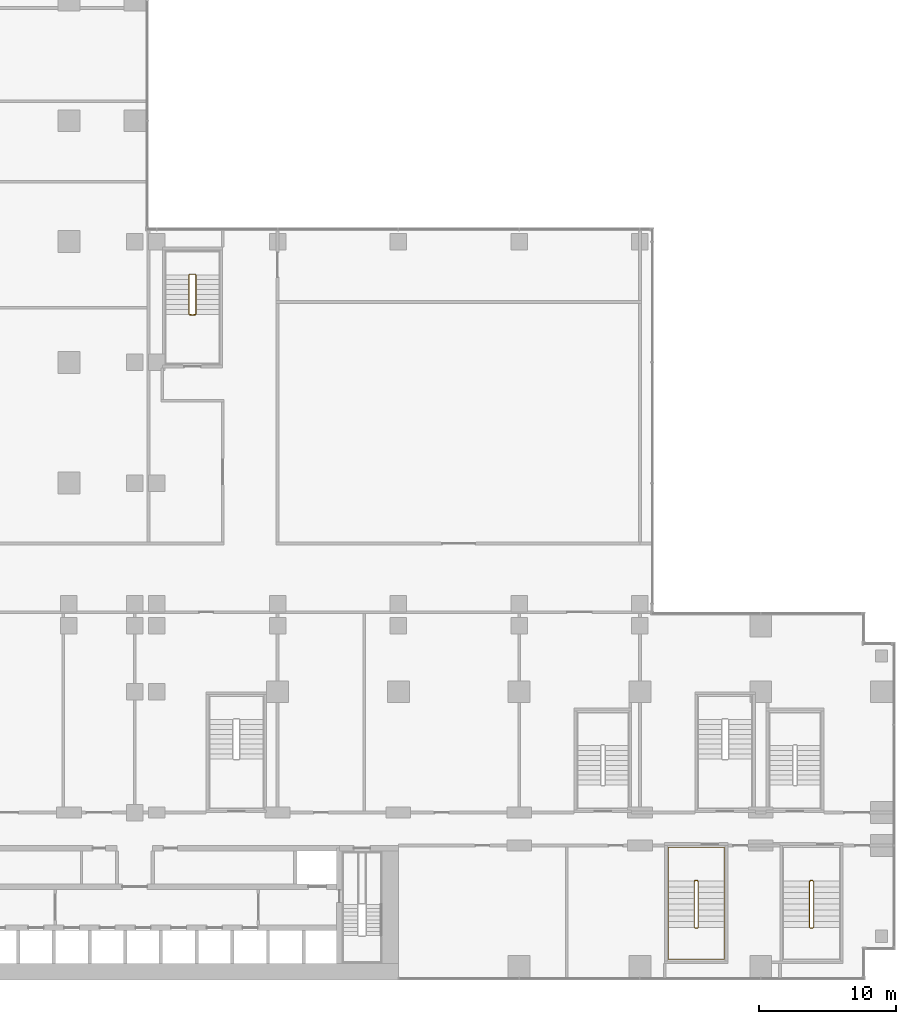
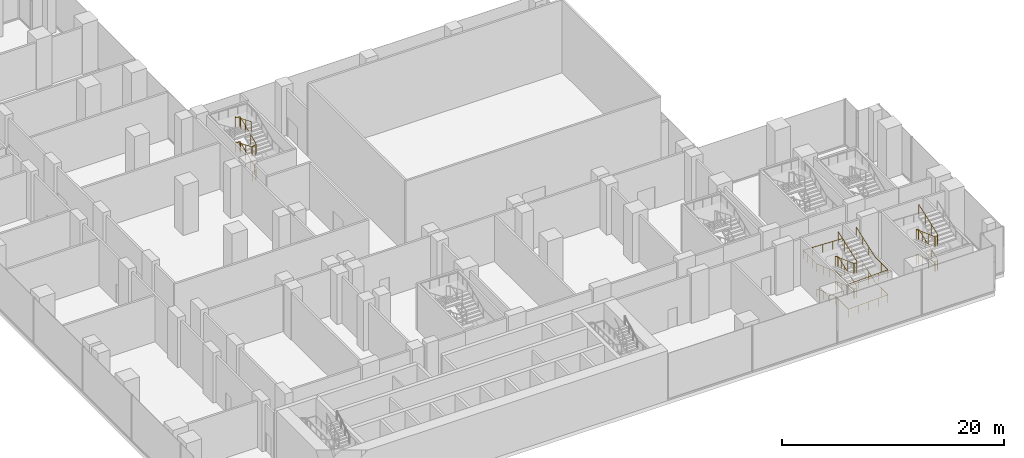
# One storey, part 28 of 30: 4 railings.
"""IFC4 building model written with IfcOpenShell, lengths in metres."""

from ifc_helpers import new_model, si_unit, direction, frame, origin, origin_2d, place, context, subcontext, project, spatial, circle, extrude, material, type_object, element, save


model = new_model("IFC4")

# Units and contexts
model_context = context("Model", 3, precision=1e-05, world=origin(), true_north=direction((0.0, 1.0)))
body_context = subcontext(model_context, "Body", "Model", "MODEL_VIEW")
ifc_project = project(units=[si_unit("LENGTHUNIT", "METRE"), si_unit("AREAUNIT", "SQUARE_METRE"), si_unit("VOLUMEUNIT", "CUBIC_METRE"), si_unit("PLANEANGLEUNIT", "RADIAN"), si_unit("MASSUNIT", "GRAM", prefix="KILO")], contexts=[model_context])

# Site, building, storey
site_placement = place(None, origin())
site = spatial("IfcSite", under=ifc_project, at=site_placement, CompositionType="ELEMENT")
building_placement = place(site_placement, origin())
building = spatial("IfcBuilding", under=site, at=building_placement, Name="Kemantara Hotel Tower", CompositionType="ELEMENT")
storey_placement = place(building_placement, frame((0.0, 0.0, 18.0)))
storey = spatial("IfcBuildingStorey", under=building, at=storey_placement, Name="L03", CompositionType="ELEMENT", Elevation=18.0)

# Railings
ifc_material = material(Name="Stainless steel balustrade", Category="steel")
railing_type_1 = type_object("IfcRailingType", Name="Stair guard 1100 mm", PredefinedType="GUARDRAIL", material=ifc_material)
railing_1_placement = place(storey_placement, frame((29.75, 48.5, 5.5)))
element("IfcRailing", 1, at=railing_1_placement, inside=storey, type_object=railing_type_1, Name="L03 PS2 stair guard 1", PredefinedType="GUARDRAIL", context=body_context, shape_type="SweptSolid", body=[
    extrude(circle(Radius=0.02392578125, at=origin_2d()), frame((0.0, 0.0, 1.076171875), z_axis=(0.0, 0.920535863683, -0.390658064903), x_axis=(-1.0, 0.0, 0.0)), (0.0, 0.0, 1.0), 3.12841796875),
    extrude(circle(Radius=0.02392578125, at=origin_2d()), frame((0.0, 2.8798828125, -0.14599609375), z_axis=(0.297155754911, 0.297155754911, -0.90741220768), x_axis=(-0.707106781187, 0.707106781187, 0.0)), (0.0, 0.0, 1.0), 0.16845703125),
    extrude(circle(Radius=0.02392578125, at=origin_2d()), frame((0.050048828125, 2.929931640625, -0.298828125), z_axis=(1.0, 0.0, 0.0), x_axis=(0.0, 1.0, 0.0)), (0.0, 0.0, 1.0), 0.39990234375),
    extrude(circle(Radius=0.02392578125, at=origin_2d()), frame((0.449951171875, 2.929931640625, -0.298828125), z_axis=(0.707106781187, -0.707106781187, 0.0), x_axis=(0.707106781187, 0.707106781187, 0.0)), (0.0, 0.0, 1.0), 0.07080078125),
    extrude(circle(Radius=0.02392578125, at=origin_2d()), frame((0.5, 2.8798828125, -0.298828125), z_axis=(0.0, -0.920535863683, -0.390658064903), x_axis=(1.0, 0.0, 0.0)), (0.0, 0.0, 1.0), 3.12841796875),
    extrude(circle(Radius=0.02392578125, at=origin_2d()), frame((0.5, 0.0, -1.52099609375), z_axis=(-0.941661397821, -0.104742586301, -0.319848092803), x_axis=(0.110549901152, -0.993870574751, 0.0)), (0.0, 0.0, 1.0), 0.477783203125),
    extrude(circle(Radius=0.02392578125, at=origin_2d()), frame((0.050048828125, -0.050048828125, -1.673828125), z_axis=(1.0, 0.0, 0.0), x_axis=(0.0, 1.0, 0.0)), (0.0, 0.0, 1.0), 0.39990234375),
    extrude(circle(Radius=0.02392578125, at=origin_2d()), frame((0.449951171875, -0.050048828125, -1.673828125), z_axis=(-0.993870574751, 0.110549901152, 0.0), x_axis=(-0.110549901152, -0.993870574751, 0.0)), (0.0, 0.0, 1.0), 0.45263671875),
    extrude(circle(Radius=0.02392578125, at=origin_2d()), frame((0.0, 0.0, -1.673828125), z_axis=(0.0, 0.920535863683, -0.390658064903), x_axis=(-1.0, 0.0, 0.0)), (0.0, 0.0, 1.0), 3.12841796875),
    extrude(circle(Radius=0.02392578125, at=origin_2d()), frame((0.0, 2.8798828125, -2.89599609375), z_axis=(0.297155754911, 0.297155754911, -0.90741220768), x_axis=(-0.707106781187, 0.707106781187, 0.0)), (0.0, 0.0, 1.0), 0.16845703125),
    extrude(circle(Radius=0.02392578125, at=origin_2d()), frame((0.050048828125, 2.929931640625, -3.048828125), z_axis=(1.0, 0.0, 0.0), x_axis=(0.0, 1.0, 0.0)), (0.0, 0.0, 1.0), 0.39990234375),
    extrude(circle(Radius=0.02392578125, at=origin_2d()), frame((0.449951171875, 2.929931640625, -3.048828125), z_axis=(0.707106781187, -0.707106781187, 0.0), x_axis=(0.707106781187, 0.707106781187, 0.0)), (0.0, 0.0, 1.0), 0.07080078125),
    extrude(circle(Radius=0.02392578125, at=origin_2d()), frame((0.5, 2.8798828125, -3.048828125), z_axis=(0.0, -0.920535863683, -0.390658064903), x_axis=(1.0, 0.0, 0.0)), (0.0, 0.0, 1.0), 3.12841796875),
    extrude(circle(Radius=0.02392578125, at=origin_2d()), frame((0.5, 0.0, -4.27099609375), z_axis=(-0.297155754911, -0.297155754911, -0.90741220768), x_axis=(0.707106781187, -0.707106781187, 0.0)), (0.0, 0.0, 1.0), 0.16845703125),
    extrude(circle(Radius=0.02392578125, at=origin_2d()), frame((0.449951171875, -0.050048828125, -4.423828125), z_axis=(-1.0, 0.0, 0.0), x_axis=(0.0, -1.0, 0.0)), (0.0, 0.0, 1.0), 0.39990234375),
    extrude(circle(Radius=0.02099609375, at=origin_2d()), origin(), (0.0, 0.0, 1.0), 1.052001953125),
    extrude(circle(Radius=0.02099609375, at=origin_2d()), frame((0.0, 0.9599609375, -0.407470703125)), (0.0, 0.0, 1.0), 1.052001953125),
    extrude(circle(Radius=0.02099609375, at=origin_2d()), frame((0.0, 1.919921875, -0.814697265625)), (0.0, 0.0, 1.0), 1.052001953125),
    extrude(circle(Radius=0.02099609375, at=origin_2d()), frame((0.0, 2.8798828125, -1.22216796875)), (0.0, 0.0, 1.0), 1.052001953125),
    extrude(circle(Radius=0.02099609375, at=origin_2d()), frame((0.050048828125, 2.929931640625, -1.375)), (0.0, 0.0, 1.0), 1.052001953125),
    extrude(circle(Radius=0.02099609375, at=origin_2d()), frame((0.449951171875, 2.929931640625, -1.375)), (0.0, 0.0, 1.0), 1.052001953125),
    extrude(circle(Radius=0.02099609375, at=origin_2d()), frame((0.5, 2.8798828125, -1.375)), (0.0, 0.0, 1.0), 1.052001953125),
    extrude(circle(Radius=0.02099609375, at=origin_2d()), frame((0.5, 1.919921875, -1.782470703125)), (0.0, 0.0, 1.0), 1.052001953125),
    extrude(circle(Radius=0.02099609375, at=origin_2d()), frame((0.5, 0.9599609375, -2.189697265625)), (0.0, 0.0, 1.0), 1.052001953125),
    extrude(circle(Radius=0.02099609375, at=origin_2d()), frame((0.5, 0.0, -2.59716796875)), (0.0, 0.0, 1.0), 1.052001953125),
    extrude(circle(Radius=0.02099609375, at=origin_2d()), frame((0.050048828125, -0.050048828125, -2.75)), (0.0, 0.0, 1.0), 1.052001953125),
    extrude(circle(Radius=0.02099609375, at=origin_2d()), frame((0.449951171875, -0.050048828125, -2.75)), (0.0, 0.0, 1.0), 1.052001953125),
    extrude(circle(Radius=0.02099609375, at=origin_2d()), frame((0.0, 0.0, -2.75)), (0.0, 0.0, 1.0), 1.052001953125),
    extrude(circle(Radius=0.02099609375, at=origin_2d()), frame((0.0, 0.9599609375, -3.157470703125)), (0.0, 0.0, 1.0), 1.052001953125),
    extrude(circle(Radius=0.02099609375, at=origin_2d()), frame((0.0, 1.919921875, -3.564697265625)), (0.0, 0.0, 1.0), 1.052001953125),
    extrude(circle(Radius=0.02099609375, at=origin_2d()), frame((0.0, 2.8798828125, -3.97216796875)), (0.0, 0.0, 1.0), 1.052001953125),
    extrude(circle(Radius=0.02099609375, at=origin_2d()), frame((0.050048828125, 2.929931640625, -4.125)), (0.0, 0.0, 1.0), 1.052001953125),
    extrude(circle(Radius=0.02099609375, at=origin_2d()), frame((0.449951171875, 2.929931640625, -4.125)), (0.0, 0.0, 1.0), 1.052001953125),
    extrude(circle(Radius=0.02099609375, at=origin_2d()), frame((0.5, 2.8798828125, -4.125)), (0.0, 0.0, 1.0), 1.052001953125),
    extrude(circle(Radius=0.02099609375, at=origin_2d()), frame((0.5, 1.919921875, -4.532470703125)), (0.0, 0.0, 1.0), 1.052001953125),
    extrude(circle(Radius=0.02099609375, at=origin_2d()), frame((0.5, 0.9599609375, -4.939697265625)), (0.0, 0.0, 1.0), 1.052001953125),
    extrude(circle(Radius=0.02099609375, at=origin_2d()), frame((0.5, 0.0, -5.34716796875)), (0.0, 0.0, 1.0), 1.052001953125),
    extrude(circle(Radius=0.02099609375, at=origin_2d()), frame((0.449951171875, -0.050048828125, -5.5)), (0.0, 0.0, 1.0), 1.052001953125),
    extrude(circle(Radius=0.02099609375, at=origin_2d()), frame((0.050048828125, -0.050048828125, -5.5)), (0.0, 0.0, 1.0), 1.052001953125),
])
railing_2_placement = place(storey_placement, frame((66.85009765625, 7.199951171875, 5.5)))
element("IfcRailing", 2, at=railing_2_placement, inside=storey, type_object=railing_type_1, Name="L03 PS4 stair guard 1", PredefinedType="GUARDRAIL", context=body_context, shape_type="SweptSolid", body=[
    extrude(circle(Radius=0.02392578125, at=origin_2d()), frame((0.0, 0.0, 1.076171875), z_axis=(0.0, -0.93975753056, -0.341841752506), x_axis=(1.0, 0.0, 0.0)), (0.0, 0.0, 1.0), 3.5751953125),
    extrude(circle(Radius=0.02392578125, at=origin_2d()), frame((0.0, -3.35986328125, -0.14599609375), z_axis=(-0.297155754911, -0.297155754911, -0.90741220768), x_axis=(0.707106781187, -0.707106781187, 0.0)), (0.0, 0.0, 1.0), 0.16845703125),
    extrude(circle(Radius=0.02392578125, at=origin_2d()), frame((-0.050048828125, -3.409912109375, -0.298828125), z_axis=(-1.0, 0.0, 0.0), x_axis=(0.0, -1.0, 0.0)), (0.0, 0.0, 1.0), 0.199951171875),
    extrude(circle(Radius=0.02392578125, at=origin_2d()), frame((-0.25, -3.409912109375, -0.298828125), z_axis=(-0.707106781187, 0.707106781187, 0.0), x_axis=(-0.707106781187, -0.707106781187, 0.0)), (0.0, 0.0, 1.0), 0.07080078125),
    extrude(circle(Radius=0.02392578125, at=origin_2d()), frame((-0.300048828125, -3.35986328125, -0.298828125), z_axis=(0.0, 0.93975753056, -0.341841752506), x_axis=(-1.0, 0.0, 0.0)), (0.0, 0.0, 1.0), 3.5751953125),
    extrude(circle(Radius=0.02392578125, at=origin_2d()), frame((-0.300048828125, 0.0, -1.52099609375), z_axis=(0.841019323802, 0.168368126347, -0.514138766309), x_axis=(-0.196300278283, 0.98054382908, 0.0)), (0.0, 0.0, 1.0), 0.29736328125),
    extrude(circle(Radius=0.02392578125, at=origin_2d()), frame((-0.050048828125, 0.050048828125, -1.673828125), z_axis=(-1.0, 0.0, 0.0), x_axis=(0.0, -1.0, 0.0)), (0.0, 0.0, 1.0), 0.199951171875),
    extrude(circle(Radius=0.02392578125, at=origin_2d()), frame((-0.25, 0.050048828125, -1.673828125), z_axis=(0.98054382908, -0.196300278283, 0.0), x_axis=(0.196300278283, 0.98054382908, 0.0)), (0.0, 0.0, 1.0), 0.2548828125),
    extrude(circle(Radius=0.02392578125, at=origin_2d()), frame((0.0, 0.0, -1.673828125), z_axis=(0.0, -0.93975753056, -0.341841752506), x_axis=(1.0, 0.0, 0.0)), (0.0, 0.0, 1.0), 3.5751953125),
    extrude(circle(Radius=0.02392578125, at=origin_2d()), frame((0.0, -3.35986328125, -2.89599609375), z_axis=(-0.297155754911, -0.297155754911, -0.90741220768), x_axis=(0.707106781187, -0.707106781187, 0.0)), (0.0, 0.0, 1.0), 0.16845703125),
    extrude(circle(Radius=0.02392578125, at=origin_2d()), frame((-0.050048828125, -3.409912109375, -3.048828125), z_axis=(-1.0, 0.0, 0.0), x_axis=(0.0, -1.0, 0.0)), (0.0, 0.0, 1.0), 0.199951171875),
    extrude(circle(Radius=0.02392578125, at=origin_2d()), frame((-0.25, -3.409912109375, -3.048828125), z_axis=(-0.707106781187, 0.707106781187, 0.0), x_axis=(-0.707106781187, -0.707106781187, 0.0)), (0.0, 0.0, 1.0), 0.07080078125),
    extrude(circle(Radius=0.02392578125, at=origin_2d()), frame((-0.300048828125, -3.35986328125, -3.048828125), z_axis=(0.0, 0.93975753056, -0.341841752506), x_axis=(-1.0, 0.0, 0.0)), (0.0, 0.0, 1.0), 3.5751953125),
    extrude(circle(Radius=0.02392578125, at=origin_2d()), frame((-0.300048828125, 0.0, -4.27099609375), z_axis=(0.297155754911, 0.297155754911, -0.90741220768), x_axis=(-0.707106781187, 0.707106781187, 0.0)), (0.0, 0.0, 1.0), 0.16845703125),
    extrude(circle(Radius=0.02392578125, at=origin_2d()), frame((-0.25, 0.050048828125, -4.423828125), z_axis=(1.0, 0.0, 0.0), x_axis=(0.0, 1.0, 0.0)), (0.0, 0.0, 1.0), 0.199951171875),
    extrude(circle(Radius=0.02099609375, at=origin_2d()), origin(), (0.0, 0.0, 1.0), 1.052001953125),
    extrude(circle(Radius=0.02099609375, at=origin_2d()), frame((0.0, -1.119873046875, -0.407470703125)), (0.0, 0.0, 1.0), 1.052001953125),
    extrude(circle(Radius=0.02099609375, at=origin_2d()), frame((0.0, -2.239990234375, -0.814697265625)), (0.0, 0.0, 1.0), 1.052001953125),
    extrude(circle(Radius=0.02099609375, at=origin_2d()), frame((0.0, -3.35986328125, -1.22216796875)), (0.0, 0.0, 1.0), 1.052001953125),
    extrude(circle(Radius=0.02099609375, at=origin_2d()), frame((-0.050048828125, -3.409912109375, -1.375)), (0.0, 0.0, 1.0), 1.052001953125),
    extrude(circle(Radius=0.02099609375, at=origin_2d()), frame((-0.25, -3.409912109375, -1.375)), (0.0, 0.0, 1.0), 1.052001953125),
    extrude(circle(Radius=0.02099609375, at=origin_2d()), frame((-0.300048828125, -3.35986328125, -1.375)), (0.0, 0.0, 1.0), 1.052001953125),
    extrude(circle(Radius=0.02099609375, at=origin_2d()), frame((-0.300048828125, -2.239990234375, -1.782470703125)), (0.0, 0.0, 1.0), 1.052001953125),
    extrude(circle(Radius=0.02099609375, at=origin_2d()), frame((-0.300048828125, -1.119873046875, -2.189697265625)), (0.0, 0.0, 1.0), 1.052001953125),
    extrude(circle(Radius=0.02099609375, at=origin_2d()), frame((-0.300048828125, 0.0, -2.59716796875)), (0.0, 0.0, 1.0), 1.052001953125),
    extrude(circle(Radius=0.02099609375, at=origin_2d()), frame((-0.050048828125, 0.050048828125, -2.75)), (0.0, 0.0, 1.0), 1.052001953125),
    extrude(circle(Radius=0.02099609375, at=origin_2d()), frame((-0.25, 0.050048828125, -2.75)), (0.0, 0.0, 1.0), 1.052001953125),
    extrude(circle(Radius=0.02099609375, at=origin_2d()), frame((0.0, 0.0, -2.75)), (0.0, 0.0, 1.0), 1.052001953125),
    extrude(circle(Radius=0.02099609375, at=origin_2d()), frame((0.0, -1.119873046875, -3.157470703125)), (0.0, 0.0, 1.0), 1.052001953125),
    extrude(circle(Radius=0.02099609375, at=origin_2d()), frame((0.0, -2.239990234375, -3.564697265625)), (0.0, 0.0, 1.0), 1.052001953125),
    extrude(circle(Radius=0.02099609375, at=origin_2d()), frame((0.0, -3.35986328125, -3.97216796875)), (0.0, 0.0, 1.0), 1.052001953125),
    extrude(circle(Radius=0.02099609375, at=origin_2d()), frame((-0.050048828125, -3.409912109375, -4.125)), (0.0, 0.0, 1.0), 1.052001953125),
    extrude(circle(Radius=0.02099609375, at=origin_2d()), frame((-0.25, -3.409912109375, -4.125)), (0.0, 0.0, 1.0), 1.052001953125),
    extrude(circle(Radius=0.02099609375, at=origin_2d()), frame((-0.300048828125, -3.35986328125, -4.125)), (0.0, 0.0, 1.0), 1.052001953125),
    extrude(circle(Radius=0.02099609375, at=origin_2d()), frame((-0.300048828125, -2.239990234375, -4.532470703125)), (0.0, 0.0, 1.0), 1.052001953125),
    extrude(circle(Radius=0.02099609375, at=origin_2d()), frame((-0.300048828125, -1.119873046875, -4.939697265625)), (0.0, 0.0, 1.0), 1.052001953125),
    extrude(circle(Radius=0.02099609375, at=origin_2d()), frame((-0.300048828125, 0.0, -5.34716796875)), (0.0, 0.0, 1.0), 1.052001953125),
    extrude(circle(Radius=0.02099609375, at=origin_2d()), frame((-0.25, 0.050048828125, -5.5)), (0.0, 0.0, 1.0), 1.052001953125),
    extrude(circle(Radius=0.02099609375, at=origin_2d()), frame((-0.050048828125, 0.050048828125, -5.5)), (0.0, 0.0, 1.0), 1.052001953125),
])
railing_3_placement = place(storey_placement, frame((75.25, 7.199951171875, 5.5)))
element("IfcRailing", 3, at=railing_3_placement, inside=storey, type_object=railing_type_1, Name="L03 PS5 stair guard 1", PredefinedType="GUARDRAIL", context=body_context, shape_type="SweptSolid", body=[
    extrude(circle(Radius=0.02392578125, at=origin_2d()), frame((0.0, 0.0, 1.076171875), z_axis=(0.0, -0.93975753056, -0.341841752506), x_axis=(1.0, 0.0, 0.0)), (0.0, 0.0, 1.0), 3.5751953125),
    extrude(circle(Radius=0.02392578125, at=origin_2d()), frame((0.0, -3.35986328125, -0.14599609375), z_axis=(-0.297155754911, -0.297155754911, -0.90741220768), x_axis=(0.707106781187, -0.707106781187, 0.0)), (0.0, 0.0, 1.0), 0.16845703125),
    extrude(circle(Radius=0.02392578125, at=origin_2d()), frame((-0.050048828125, -3.409912109375, -0.298828125), z_axis=(-1.0, 0.0, 0.0), x_axis=(0.0, -1.0, 0.0)), (0.0, 0.0, 1.0), 0.199951171875),
    extrude(circle(Radius=0.02392578125, at=origin_2d()), frame((-0.25, -3.409912109375, -0.298828125), z_axis=(-0.707106781187, 0.707106781187, 0.0), x_axis=(-0.707106781187, -0.707106781187, 0.0)), (0.0, 0.0, 1.0), 0.07080078125),
    extrude(circle(Radius=0.02392578125, at=origin_2d()), frame((-0.300048828125, -3.35986328125, -0.298828125), z_axis=(0.0, 0.93975753056, -0.341841752506), x_axis=(-1.0, 0.0, 0.0)), (0.0, 0.0, 1.0), 3.5751953125),
    extrude(circle(Radius=0.02392578125, at=origin_2d()), frame((-0.300048828125, 0.0, -1.52099609375), z_axis=(0.841019323802, 0.168368126347, -0.514138766309), x_axis=(-0.196300278283, 0.98054382908, 0.0)), (0.0, 0.0, 1.0), 0.29736328125),
    extrude(circle(Radius=0.02392578125, at=origin_2d()), frame((-0.050048828125, 0.050048828125, -1.673828125), z_axis=(-1.0, 0.0, 0.0), x_axis=(0.0, -1.0, 0.0)), (0.0, 0.0, 1.0), 0.199951171875),
    extrude(circle(Radius=0.02392578125, at=origin_2d()), frame((-0.25, 0.050048828125, -1.673828125), z_axis=(0.98054382908, -0.196300278283, 0.0), x_axis=(0.196300278283, 0.98054382908, 0.0)), (0.0, 0.0, 1.0), 0.2548828125),
    extrude(circle(Radius=0.02392578125, at=origin_2d()), frame((0.0, 0.0, -1.673828125), z_axis=(0.0, -0.93975753056, -0.341841752506), x_axis=(1.0, 0.0, 0.0)), (0.0, 0.0, 1.0), 3.5751953125),
    extrude(circle(Radius=0.02392578125, at=origin_2d()), frame((0.0, -3.35986328125, -2.89599609375), z_axis=(-0.297155754911, -0.297155754911, -0.90741220768), x_axis=(0.707106781187, -0.707106781187, 0.0)), (0.0, 0.0, 1.0), 0.16845703125),
    extrude(circle(Radius=0.02392578125, at=origin_2d()), frame((-0.050048828125, -3.409912109375, -3.048828125), z_axis=(-1.0, 0.0, 0.0), x_axis=(0.0, -1.0, 0.0)), (0.0, 0.0, 1.0), 0.199951171875),
    extrude(circle(Radius=0.02392578125, at=origin_2d()), frame((-0.25, -3.409912109375, -3.048828125), z_axis=(-0.707106781187, 0.707106781187, 0.0), x_axis=(-0.707106781187, -0.707106781187, 0.0)), (0.0, 0.0, 1.0), 0.07080078125),
    extrude(circle(Radius=0.02392578125, at=origin_2d()), frame((-0.300048828125, -3.35986328125, -3.048828125), z_axis=(0.0, 0.93975753056, -0.341841752506), x_axis=(-1.0, 0.0, 0.0)), (0.0, 0.0, 1.0), 3.5751953125),
    extrude(circle(Radius=0.02392578125, at=origin_2d()), frame((-0.300048828125, 0.0, -4.27099609375), z_axis=(0.297155754911, 0.297155754911, -0.90741220768), x_axis=(-0.707106781187, 0.707106781187, 0.0)), (0.0, 0.0, 1.0), 0.16845703125),
    extrude(circle(Radius=0.02392578125, at=origin_2d()), frame((-0.25, 0.050048828125, -4.423828125), z_axis=(1.0, 0.0, 0.0), x_axis=(0.0, 1.0, 0.0)), (0.0, 0.0, 1.0), 0.199951171875),
    extrude(circle(Radius=0.02099609375, at=origin_2d()), origin(), (0.0, 0.0, 1.0), 1.052001953125),
    extrude(circle(Radius=0.02099609375, at=origin_2d()), frame((0.0, -1.119873046875, -0.407470703125)), (0.0, 0.0, 1.0), 1.052001953125),
    extrude(circle(Radius=0.02099609375, at=origin_2d()), frame((0.0, -2.239990234375, -0.814697265625)), (0.0, 0.0, 1.0), 1.052001953125),
    extrude(circle(Radius=0.02099609375, at=origin_2d()), frame((0.0, -3.35986328125, -1.22216796875)), (0.0, 0.0, 1.0), 1.052001953125),
    extrude(circle(Radius=0.02099609375, at=origin_2d()), frame((-0.050048828125, -3.409912109375, -1.375)), (0.0, 0.0, 1.0), 1.052001953125),
    extrude(circle(Radius=0.02099609375, at=origin_2d()), frame((-0.25, -3.409912109375, -1.375)), (0.0, 0.0, 1.0), 1.052001953125),
    extrude(circle(Radius=0.02099609375, at=origin_2d()), frame((-0.300048828125, -3.35986328125, -1.375)), (0.0, 0.0, 1.0), 1.052001953125),
    extrude(circle(Radius=0.02099609375, at=origin_2d()), frame((-0.300048828125, -2.239990234375, -1.782470703125)), (0.0, 0.0, 1.0), 1.052001953125),
    extrude(circle(Radius=0.02099609375, at=origin_2d()), frame((-0.300048828125, -1.119873046875, -2.189697265625)), (0.0, 0.0, 1.0), 1.052001953125),
    extrude(circle(Radius=0.02099609375, at=origin_2d()), frame((-0.300048828125, 0.0, -2.59716796875)), (0.0, 0.0, 1.0), 1.052001953125),
    extrude(circle(Radius=0.02099609375, at=origin_2d()), frame((-0.050048828125, 0.050048828125, -2.75)), (0.0, 0.0, 1.0), 1.052001953125),
    extrude(circle(Radius=0.02099609375, at=origin_2d()), frame((-0.25, 0.050048828125, -2.75)), (0.0, 0.0, 1.0), 1.052001953125),
    extrude(circle(Radius=0.02099609375, at=origin_2d()), frame((0.0, 0.0, -2.75)), (0.0, 0.0, 1.0), 1.052001953125),
    extrude(circle(Radius=0.02099609375, at=origin_2d()), frame((0.0, -1.119873046875, -3.157470703125)), (0.0, 0.0, 1.0), 1.052001953125),
    extrude(circle(Radius=0.02099609375, at=origin_2d()), frame((0.0, -2.239990234375, -3.564697265625)), (0.0, 0.0, 1.0), 1.052001953125),
    extrude(circle(Radius=0.02099609375, at=origin_2d()), frame((0.0, -3.35986328125, -3.97216796875)), (0.0, 0.0, 1.0), 1.052001953125),
    extrude(circle(Radius=0.02099609375, at=origin_2d()), frame((-0.050048828125, -3.409912109375, -4.125)), (0.0, 0.0, 1.0), 1.052001953125),
    extrude(circle(Radius=0.02099609375, at=origin_2d()), frame((-0.25, -3.409912109375, -4.125)), (0.0, 0.0, 1.0), 1.052001953125),
    extrude(circle(Radius=0.02099609375, at=origin_2d()), frame((-0.300048828125, -3.35986328125, -4.125)), (0.0, 0.0, 1.0), 1.052001953125),
    extrude(circle(Radius=0.02099609375, at=origin_2d()), frame((-0.300048828125, -2.239990234375, -4.532470703125)), (0.0, 0.0, 1.0), 1.052001953125),
    extrude(circle(Radius=0.02099609375, at=origin_2d()), frame((-0.300048828125, -1.119873046875, -4.939697265625)), (0.0, 0.0, 1.0), 1.052001953125),
    extrude(circle(Radius=0.02099609375, at=origin_2d()), frame((-0.300048828125, 0.0, -5.34716796875)), (0.0, 0.0, 1.0), 1.052001953125),
    extrude(circle(Radius=0.02099609375, at=origin_2d()), frame((-0.25, 0.050048828125, -5.5)), (0.0, 0.0, 1.0), 1.052001953125),
    extrude(circle(Radius=0.02099609375, at=origin_2d()), frame((-0.050048828125, 0.050048828125, -5.5)), (0.0, 0.0, 1.0), 1.052001953125),
])
railing_type_2 = type_object("IfcRailingType", Name="Stair handrail 900 mm", PredefinedType="HANDRAIL", material=ifc_material)
railing_4_placement = place(storey_placement, frame((64.64990234375, 7.199951171875, 0.15283203125)))
element("IfcRailing", 4, at=railing_4_placement, inside=storey, type_object=railing_type_2, Name="L03 PS4 stair handrail 1", PredefinedType="HANDRAIL", context=body_context, shape_type="SweptSolid", body=[
    extrude(circle(Radius=0.02392578125, at=origin_2d()), frame((0.0, 0.0, 0.8759765625), z_axis=(0.0, -0.93975753056, 0.341841752506), x_axis=(1.0, 0.0, 0.0)), (0.0, 0.0, 1.0), 3.5751953125),
    extrude(circle(Radius=0.02392578125, at=origin_2d()), frame((0.0, -3.35986328125, 2.09814453125), z_axis=(0.0, -1.0, 0.0), x_axis=(1.0, 0.0, 0.0)), (0.0, 0.0, 1.0), 2.320068359375),
    extrude(circle(Radius=0.02392578125, at=origin_2d()), frame((0.0, -5.679931640625, 2.09814453125), z_axis=(0.999306002205, 0.0, 0.037249348421), x_axis=(0.0, 1.0, 0.0)), (0.0, 0.0, 1.0), 4.10302734375),
    extrude(circle(Radius=0.02392578125, at=origin_2d()), frame((4.10009765625, -5.679931640625, 2.2509765625), z_axis=(0.0, 1.0, 0.0), x_axis=(-1.0, 0.0, 0.0)), (0.0, 0.0, 1.0), 2.320068359375),
    extrude(circle(Radius=0.02392578125, at=origin_2d()), frame((4.10009765625, -3.35986328125, 2.2509765625), z_axis=(0.0, 0.93975753056, 0.341841752506), x_axis=(-1.0, 0.0, 0.0)), (0.0, 0.0, 1.0), 3.5751953125),
    extrude(circle(Radius=0.02392578125, at=origin_2d()), frame((4.10009765625, 0.0, 3.47314453125), z_axis=(0.0, 1.0, 0.0), x_axis=(-1.0, 0.0, 0.0)), (0.0, 0.0, 1.0), 2.47998046875),
    extrude(circle(Radius=0.02392578125, at=origin_2d()), frame((4.10009765625, 2.47998046875, 3.47314453125), z_axis=(-0.999306002205, 0.0, 0.037249348421), x_axis=(0.0, -1.0, 0.0)), (0.0, 0.0, 1.0), 4.10302734375),
    extrude(circle(Radius=0.02392578125, at=origin_2d()), frame((0.0, 2.47998046875, 3.6259765625), z_axis=(0.0, -1.0, 0.0), x_axis=(1.0, 0.0, 0.0)), (0.0, 0.0, 1.0), 2.47998046875),
    extrude(circle(Radius=0.02392578125, at=origin_2d()), frame((0.0, 0.0, 3.6259765625), z_axis=(0.0, -0.93975753056, 0.341841752506), x_axis=(1.0, 0.0, 0.0)), (0.0, 0.0, 1.0), 3.5751953125),
    extrude(circle(Radius=0.02392578125, at=origin_2d()), frame((0.0, -3.35986328125, 4.84814453125), z_axis=(0.0, -1.0, 0.0), x_axis=(1.0, 0.0, 0.0)), (0.0, 0.0, 1.0), 2.320068359375),
    extrude(circle(Radius=0.02392578125, at=origin_2d()), frame((0.0, -5.679931640625, 4.84814453125), z_axis=(0.999306002205, 0.0, 0.037249348421), x_axis=(0.0, 1.0, 0.0)), (0.0, 0.0, 1.0), 4.10302734375),
    extrude(circle(Radius=0.02392578125, at=origin_2d()), frame((4.10009765625, -5.679931640625, 5.0009765625), z_axis=(0.0, 1.0, 0.0), x_axis=(-1.0, 0.0, 0.0)), (0.0, 0.0, 1.0), 2.320068359375),
    extrude(circle(Radius=0.02392578125, at=origin_2d()), frame((4.10009765625, -3.35986328125, 5.0009765625), z_axis=(0.0, 0.93975753056, 0.341841752506), x_axis=(-1.0, 0.0, 0.0)), (0.0, 0.0, 1.0), 3.5751953125),
    extrude(circle(Radius=0.02099609375, at=origin_2d()), origin(), (0.0, 0.0, 1.0), 0.851806640625),
    extrude(circle(Radius=0.02099609375, at=origin_2d()), frame((0.0, -1.119873046875, 0.407470703125)), (0.0, 0.0, 1.0), 0.851806640625),
    extrude(circle(Radius=0.02099609375, at=origin_2d()), frame((0.0, -2.239990234375, 0.814697265625)), (0.0, 0.0, 1.0), 0.851806640625),
    extrude(circle(Radius=0.02099609375, at=origin_2d()), frame((0.0, -3.35986328125, 1.22216796875)), (0.0, 0.0, 1.0), 0.851806640625),
    extrude(circle(Radius=0.02099609375, at=origin_2d()), frame((0.0, -4.52001953125, 1.22216796875)), (0.0, 0.0, 1.0), 0.851806640625),
    extrude(circle(Radius=0.02099609375, at=origin_2d()), frame((0.0, -5.679931640625, 1.22216796875)), (0.0, 0.0, 1.0), 0.851806640625),
    extrude(circle(Radius=0.02099609375, at=origin_2d()), frame((1.02490234375, -5.679931640625, 1.26025390625)), (0.0, 0.0, 1.0), 0.851806640625),
    extrude(circle(Radius=0.02099609375, at=origin_2d()), frame((2.050048828125, -5.679931640625, 1.298583984375)), (0.0, 0.0, 1.0), 0.851806640625),
    extrude(circle(Radius=0.02099609375, at=origin_2d()), frame((3.0751953125, -5.679931640625, 1.3369140625)), (0.0, 0.0, 1.0), 0.851806640625),
    extrude(circle(Radius=0.02099609375, at=origin_2d()), frame((4.10009765625, -5.679931640625, 1.375)), (0.0, 0.0, 1.0), 0.851806640625),
    extrude(circle(Radius=0.02099609375, at=origin_2d()), frame((4.10009765625, -4.52001953125, 1.375)), (0.0, 0.0, 1.0), 0.851806640625),
    extrude(circle(Radius=0.02099609375, at=origin_2d()), frame((4.10009765625, -3.35986328125, 1.375)), (0.0, 0.0, 1.0), 0.851806640625),
    extrude(circle(Radius=0.02099609375, at=origin_2d()), frame((4.10009765625, -2.239990234375, 1.782470703125)), (0.0, 0.0, 1.0), 0.851806640625),
    extrude(circle(Radius=0.02099609375, at=origin_2d()), frame((4.10009765625, -1.119873046875, 2.189697265625)), (0.0, 0.0, 1.0), 0.851806640625),
    extrude(circle(Radius=0.02099609375, at=origin_2d()), frame((4.10009765625, 0.0, 2.59716796875)), (0.0, 0.0, 1.0), 0.851806640625),
    extrude(circle(Radius=0.02099609375, at=origin_2d()), frame((4.10009765625, 0.82666015625, 2.59716796875)), (0.0, 0.0, 1.0), 0.851806640625),
    extrude(circle(Radius=0.02099609375, at=origin_2d()), frame((4.10009765625, 1.6533203125, 2.59716796875)), (0.0, 0.0, 1.0), 0.851806640625),
    extrude(circle(Radius=0.02099609375, at=origin_2d()), frame((4.10009765625, 2.47998046875, 2.59716796875)), (0.0, 0.0, 1.0), 0.851806640625),
    extrude(circle(Radius=0.02099609375, at=origin_2d()), frame((3.0751953125, 2.47998046875, 2.63525390625)), (0.0, 0.0, 1.0), 0.851806640625),
    extrude(circle(Radius=0.02099609375, at=origin_2d()), frame((2.050048828125, 2.47998046875, 2.673583984375)), (0.0, 0.0, 1.0), 0.851806640625),
    extrude(circle(Radius=0.02099609375, at=origin_2d()), frame((1.02490234375, 2.47998046875, 2.7119140625)), (0.0, 0.0, 1.0), 0.851806640625),
    extrude(circle(Radius=0.02099609375, at=origin_2d()), frame((0.0, 2.47998046875, 2.75)), (0.0, 0.0, 1.0), 0.851806640625),
    extrude(circle(Radius=0.02099609375, at=origin_2d()), frame((0.0, 1.6533203125, 2.75)), (0.0, 0.0, 1.0), 0.851806640625),
    extrude(circle(Radius=0.02099609375, at=origin_2d()), frame((0.0, 0.82666015625, 2.75)), (0.0, 0.0, 1.0), 0.851806640625),
    extrude(circle(Radius=0.02099609375, at=origin_2d()), frame((0.0, 0.0, 2.75)), (0.0, 0.0, 1.0), 0.851806640625),
    extrude(circle(Radius=0.02099609375, at=origin_2d()), frame((0.0, -1.119873046875, 3.157470703125)), (0.0, 0.0, 1.0), 0.851806640625),
    extrude(circle(Radius=0.02099609375, at=origin_2d()), frame((0.0, -2.239990234375, 3.564697265625)), (0.0, 0.0, 1.0), 0.851806640625),
    extrude(circle(Radius=0.02099609375, at=origin_2d()), frame((0.0, -3.35986328125, 3.97216796875)), (0.0, 0.0, 1.0), 0.851806640625),
    extrude(circle(Radius=0.02099609375, at=origin_2d()), frame((0.0, -4.52001953125, 3.97216796875)), (0.0, 0.0, 1.0), 0.851806640625),
    extrude(circle(Radius=0.02099609375, at=origin_2d()), frame((0.0, -5.679931640625, 3.97216796875)), (0.0, 0.0, 1.0), 0.851806640625),
    extrude(circle(Radius=0.02099609375, at=origin_2d()), frame((1.02490234375, -5.679931640625, 4.01025390625)), (0.0, 0.0, 1.0), 0.851806640625),
    extrude(circle(Radius=0.02099609375, at=origin_2d()), frame((2.050048828125, -5.679931640625, 4.048583984375)), (0.0, 0.0, 1.0), 0.851806640625),
    extrude(circle(Radius=0.02099609375, at=origin_2d()), frame((3.0751953125, -5.679931640625, 4.0869140625)), (0.0, 0.0, 1.0), 0.851806640625),
    extrude(circle(Radius=0.02099609375, at=origin_2d()), frame((4.10009765625, -5.679931640625, 4.125)), (0.0, 0.0, 1.0), 0.851806640625),
    extrude(circle(Radius=0.02099609375, at=origin_2d()), frame((4.10009765625, -4.52001953125, 4.125)), (0.0, 0.0, 1.0), 0.851806640625),
    extrude(circle(Radius=0.02099609375, at=origin_2d()), frame((4.10009765625, -3.35986328125, 4.125)), (0.0, 0.0, 1.0), 0.851806640625),
    extrude(circle(Radius=0.02099609375, at=origin_2d()), frame((4.10009765625, -2.239990234375, 4.532470703125)), (0.0, 0.0, 1.0), 0.851806640625),
    extrude(circle(Radius=0.02099609375, at=origin_2d()), frame((4.10009765625, -1.119873046875, 4.939697265625)), (0.0, 0.0, 1.0), 0.851806640625),
    extrude(circle(Radius=0.02099609375, at=origin_2d()), frame((4.10009765625, 0.0, 5.34716796875)), (0.0, 0.0, 1.0), 0.851806640625),
])

save(model, "model.ifc")
